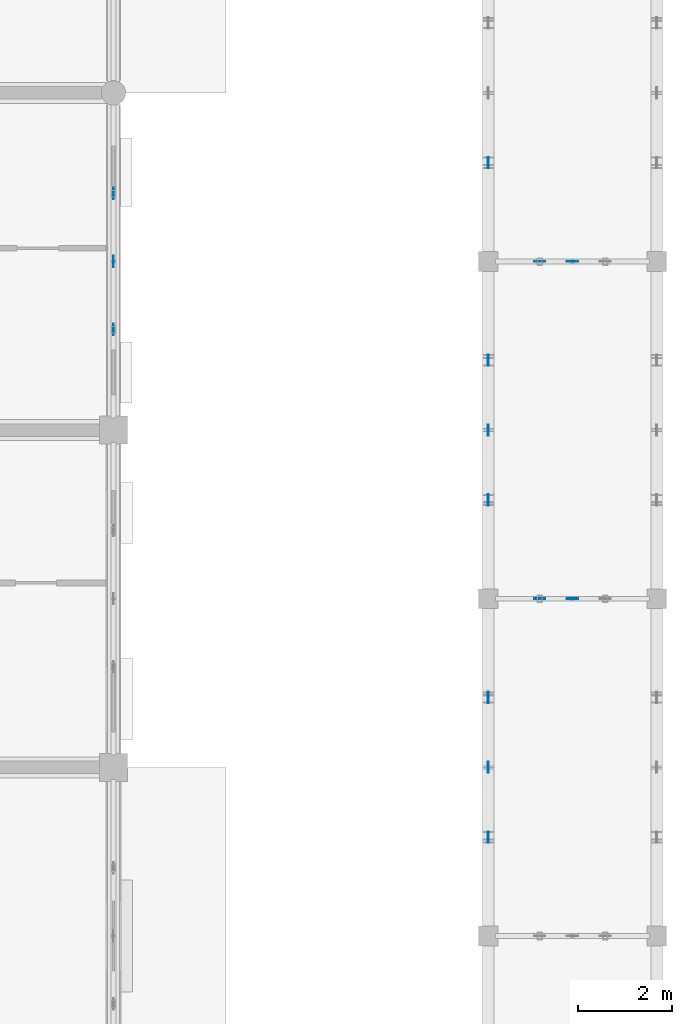
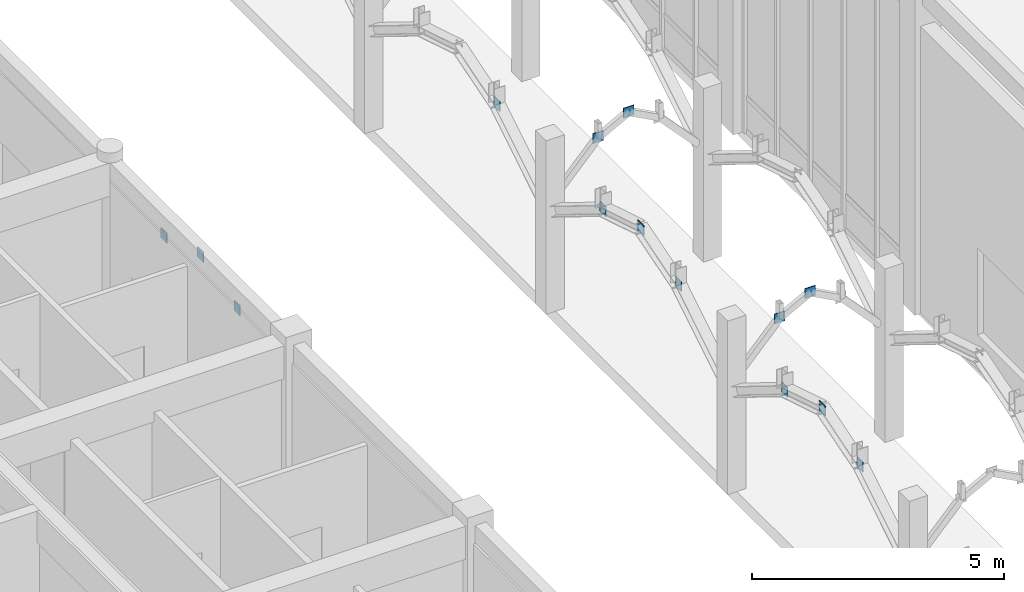
# One storey, part 77 of 138: 14 plates.
"""IFC4 building model written with IfcOpenShell, lengths in metres."""

import ifcopenshell
import ifcopenshell.guid

model = None  # the IFC model being written
_history = None  # IfcOwnerHistory: only IFC2X3 demands one
_inside = {}  # id of a spatial element -> (the spatial element, [elements in it])
_under = {}  # id of a project, library or spatial element -> (it, [spatial elements below it])
_declared = {}  # id of a project -> (the project, [libraries it declares])
_typed = {}  # id of a type object -> (the type object, [elements of that type])
_made_of = {}  # id of a material, layer set ... -> (it, [elements and type objects made of it])


def new_model(schema):
    """Start an empty IFC model of exactly this schema.

    Asked for "IFC4X3", IfcOpenShell would pick the latest addendum, in which some entities
    have other attributes; the version numbers below select the first issue.
    IFC2X3 requires an IfcOwnerHistory on every rooted entity: one is made here for all.
    """
    global model, _history
    if schema == "IFC4X3":
        model = ifcopenshell.file(schema_version=(4, 3, 0, 0))
    else:
        model = ifcopenshell.file(schema=schema)
    _inside.clear()
    _under.clear()
    _declared.clear()
    _typed.clear()
    _made_of.clear()
    _history = None
    if model.schema == "IFC2X3":
        org = make("IfcOrganization", Name="unknown")
        user = make(
            "IfcPersonAndOrganization",
            ThePerson=make("IfcPerson", FamilyName="unknown"),
            TheOrganization=org,
        )
        app = make(
            "IfcApplication",
            ApplicationDeveloper=org,
            Version="unknown",
            ApplicationFullName="unknown",
            ApplicationIdentifier="unknown",
        )
        _history = make(
            "IfcOwnerHistory",
            OwningUser=user,
            OwningApplication=app,
            ChangeAction="ADDED",
            CreationDate=0,
        )
    return model


def make(cls, **values):
    """One entity of the class cls with the attributes given. An attribute that is None is left unset."""
    return model.create_entity(
        cls, **{name: value for name, value in values.items() if value is not None}
    )


def rooted(cls, **values):
    """An entity with a GlobalId (a new one), such as an element, a storey or a relation."""
    return make(cls, GlobalId=ifcopenshell.guid.new(), OwnerHistory=_history, **values)


def si_unit(unit_type, name, prefix=None):
    """IfcSIUnit, for example si_unit("LENGTHUNIT", "METRE", prefix="MILLI")."""
    return make("IfcSIUnit", UnitType=unit_type, Prefix=prefix, Name=name)


def assignment(units):
    """IfcUnitAssignment: the units of a project."""
    return None if units is None else make("IfcUnitAssignment", Units=units)


def point(xyz):
    """IfcCartesianPoint."""
    return None if xyz is None else make("IfcCartesianPoint", Coordinates=xyz)


def direction(xyz):
    """IfcDirection."""
    return None if xyz is None else make("IfcDirection", DirectionRatios=xyz)


def frame(location, z_axis=None, x_axis=None):
    """IfcAxis2Placement3D, a coordinate frame: its origin and axes. An axis left out is left unset."""
    return make(
        "IfcAxis2Placement3D",
        Location=point(location),
        Axis=direction(z_axis),
        RefDirection=direction(x_axis),
    )


def frame_2d(location, x_axis=None):
    """IfcAxis2Placement2D, a coordinate frame in the plane: its origin and x axis."""
    return make(
        "IfcAxis2Placement2D", Location=point(location), RefDirection=direction(x_axis)
    )


def origin():
    """The frame at (0, 0, 0) with its axes left unset."""
    return frame((0.0, 0.0, 0.0))


def origin_2d():
    """The frame at (0, 0) in the plane with its x axis left unset."""
    return frame_2d((0.0, 0.0))


def place(relative_to, where):
    """IfcLocalPlacement: puts the frame where relative to a parent placement (None: the world)."""
    return make(
        "IfcLocalPlacement", PlacementRelTo=relative_to, RelativePlacement=where
    )


def context(
    kind, dimensions, precision=None, world=None, true_north=None, identifier=None
):
    """IfcGeometricRepresentationContext, for example the 3D "Model" context."""
    return make(
        "IfcGeometricRepresentationContext",
        ContextIdentifier=identifier,
        ContextType=kind,
        CoordinateSpaceDimension=dimensions,
        Precision=precision,
        WorldCoordinateSystem=world,
        TrueNorth=true_north,
    )


def subcontext(parent, identifier, kind, view, scale=None):
    """IfcGeometricRepresentationSubContext, for example "Body" below "Model"."""
    return make(
        "IfcGeometricRepresentationSubContext",
        ContextIdentifier=identifier,
        ContextType=kind,
        ParentContext=parent,
        TargetScale=scale,
        TargetView=view,
    )


def project(units=None, contexts=None):
    """IfcProject with its units and contexts."""
    return rooted(
        "IfcProject",
        Name="project",
        RepresentationContexts=contexts,
        UnitsInContext=assignment(units),
    )


def spatial(cls, under=None, at=None, **own):
    """A site, building, storey or space (cls), placed at a placement, below another one or the project."""
    s = rooted(cls, ObjectPlacement=at, **own)
    if under is not None:
        _under.setdefault(under.id(), (under, []))[1].append(s)
    return s


def profile(cls, at=None, kind="AREA", **sizes):
    """A parametric profile (cls). Its sizes go by their IFC names, for example OverallWidth=200.0."""
    return make(cls, ProfileType=kind, Position=at, **sizes)


def rectangle(**sizes):
    """IfcRectangleProfileDef."""
    return profile("IfcRectangleProfileDef", **sizes)


def extrude(swept, where, along, depth):
    """IfcExtrudedAreaSolid: the profile swept, set in the frame where, extruded along a direction by depth."""
    return make(
        "IfcExtrudedAreaSolid",
        SweptArea=swept,
        Position=where,
        ExtrudedDirection=direction(along),
        Depth=depth,
    )


def shape(context_of_items, identifier, shape_type, items):
    """IfcShapeRepresentation: the items that make up one representation, for example the "Body"."""
    return make(
        "IfcShapeRepresentation",
        ContextOfItems=context_of_items,
        RepresentationIdentifier=identifier,
        RepresentationType=shape_type,
        Items=items,
    )


def material(Name=None, Category=None):
    """IfcMaterial."""
    return make("IfcMaterial", Name=Name, Category=Category)


def layer(
    of_material, thickness, ventilated=None, Name=None, Category=None, Priority=None
):
    """IfcMaterialLayer: one layer of a wall or slab, of a material (None: an air gap)."""
    return make(
        "IfcMaterialLayer",
        Material=of_material,
        LayerThickness=thickness,
        IsVentilated=ventilated,
        Name=Name,
        Category=Category,
        Priority=Priority,
    )


def layer_set(layers, Name=None):
    """IfcMaterialLayerSet."""
    return make("IfcMaterialLayerSet", MaterialLayers=layers, LayerSetName=Name)


def made_of(thing, what):
    """Note that an element or type object is made of a material, layer set ...; save() writes the relation."""
    if what is not None:
        _made_of.setdefault(what.id(), (what, []))[1].append(thing)
    return thing


def type_object(cls, material=None, **own):
    """A type object (cls), such as IfcWallType, which elements share."""
    return made_of(rooted(cls, **own), material)


def element(
    cls,
    number,
    at=None,
    inside=None,
    cuts=None,
    type_object=None,
    material=None,
    context=None,
    identifier="Body",
    shape_type=None,
    held_by="IfcProductDefinitionShape",
    body=None,
    shapes=None,
    **own,
):
    """One element of the class cls, such as IfcWall. Its Tag is "e" and its number.

    at: its placement. inside: the storey or other place that contains it. cuts: it is an
    opening in that element (IfcRelVoidsElement). A single representation is given by context,
    identifier, shape_type and body (its items); several are given by shapes. held_by: the class
    of the entity that holds the representations. save() writes the other relations.
    """
    e = rooted(cls, Tag="e%d" % number, ObjectPlacement=at, **own)
    if body is not None:
        shapes = [shape(context, identifier, shape_type, body)]
    if shapes is not None:
        e.Representation = make(held_by, Representations=shapes)
    if inside is not None:
        _inside.setdefault(inside.id(), (inside, []))[1].append(e)
    if cuts is not None:
        rooted(
            "IfcRelVoidsElement", RelatingBuildingElement=cuts, RelatedOpeningElement=e
        )
    if type_object is not None:
        _typed.setdefault(type_object.id(), (type_object, []))[1].append(e)
    return made_of(e, material)


def aggregate(whole, parts):
    """IfcRelAggregates: a whole, such as a stair, and the parts it consists of."""
    return rooted("IfcRelAggregates", RelatingObject=whole, RelatedObjects=parts)


def save(model, path):
    """Write the relations noted so far, then the file.

    IfcRelAggregates (storeys below a building ...), IfcRelContainedInSpatialStructure (elements
    in a storey), IfcRelDefinesByType, IfcRelAssociatesMaterial and IfcRelDeclares: one each for
    every whole, place, type object, material and project.
    """
    for whole, parts in _under.values():
        aggregate(whole, parts)
    for where, things in _inside.values():
        rooted(
            "IfcRelContainedInSpatialStructure",
            RelatedElements=things,
            RelatingStructure=where,
        )
    for kind, things in _typed.values():
        rooted("IfcRelDefinesByType", RelatedObjects=things, RelatingType=kind)
    for what, things in _made_of.values():
        rooted("IfcRelAssociatesMaterial", RelatedObjects=things, RelatingMaterial=what)
    for by, libraries in _declared.values():
        rooted("IfcRelDeclares", RelatingContext=by, RelatedDefinitions=libraries)
    model.write(path)


model = new_model("IFC4")

# Units and contexts
model_context = context("Model", 3, precision=1e-05, world=origin(), true_north=direction((0.0, 1.0)))
body_context = subcontext(model_context, "Body", "Model", "MODEL_VIEW")
ifc_project = project(units=[si_unit("LENGTHUNIT", "METRE"), si_unit("AREAUNIT", "SQUARE_METRE"), si_unit("VOLUMEUNIT", "CUBIC_METRE"), si_unit("PLANEANGLEUNIT", "RADIAN"), si_unit("MASSUNIT", "GRAM", prefix="KILO"), si_unit("THERMODYNAMICTEMPERATUREUNIT", "KELVIN"), si_unit("POWERUNIT", "WATT")], contexts=[model_context])

# Site, building, storey
site_placement = place(None, origin())
site = spatial("IfcSite", under=ifc_project, at=site_placement, CompositionType="ELEMENT")
building_placement = place(site_placement, origin())
building = spatial("IfcBuilding", under=site, at=building_placement, Name="Tavuni Mirador Residences", CompositionType="ELEMENT")
storey_placement = place(building_placement, origin())
storey = spatial("IfcBuildingStorey", under=building, at=storey_placement, Name="L00", CompositionType="ELEMENT", Elevation=0.0)

# Plates
ifc_material = material(Name="Structural steel S355", Category="steel")
ifc_layer = layer(ifc_material, 0.01806640625, Name="Structural steel S355", Category="steel")
ifc_layer_set = layer_set([ifc_layer], Name="Structural steel S355")
plate_type = type_object("IfcPlateType", Name="PLT-GP05", PredefinedType="USERDEFINED", material=ifc_layer_set)
for number, where, z_axis, x_axis, name in (
    (1, (34.30029296875, 75.60009765625, 3.58740234375), (0.0, 0.0, 1.0), (1.0, 0.0, 0.0), "ARCH-COLO-T-03-GQ1"),
    (2, (35.0, 75.60009765625, 3.9599609375), (0.0, 0.0, 1.0), (1.0, 0.0, 0.0), "ARCH-COLO-T-03-GCR"),
    (3, (34.30029296875, 82.800048828125, 3.58740234375), (0.0, 0.0, 1.0), (1.0, 0.0, 0.0), "ARCH-COLO-T-04-GQ1"),
    (4, (35.0, 82.800048828125, 3.9599609375), (0.0, 0.0, 1.0), (1.0, 0.0, 0.0), "ARCH-COLO-T-04-GCR"),
):
    element("IfcPlate", number, at=place(storey_placement, frame(where, z_axis=z_axis, x_axis=x_axis)), inside=storey, type_object=plate_type, Name=name, ObjectType="GUSSET PLATE", PredefinedType="USERDEFINED", context=body_context, shape_type="SweptSolid", body=[
        extrude(rectangle(XDim=0.239990234375, YDim=0.02001953125, at=origin_2d()), origin(), (0.0, 0.0, 1.0), 0.239990234375),
    ])
for number, where, z_axis, x_axis, name in (
    (5, (33.199951171875, 70.50830078125, 3.50341796875), (0.0, 0.0, 1.0), (1.0, 0.0, 0.0), "ARCH-COLO-W-02-GQ1"),
    (6, (33.199951171875, 72.0, 3.9599609375), (0.0, 0.0, 1.0), (1.0, 0.0, 0.0), "ARCH-COLO-W-02-GCR"),
    (7, (33.199951171875, 73.49169921875, 3.50341796875), (0.0, 0.0, 1.0), (1.0, 0.0, 0.0), "ARCH-COLO-W-02-GQ2"),
    (8, (33.199951171875, 77.70849609375, 3.50341796875), (0.0, 0.0, 1.0), (1.0, 0.0, 0.0), "ARCH-COLO-W-03-GQ1"),
    (9, (33.199951171875, 79.199951171875, 3.9599609375), (0.0, 0.0, 1.0), (1.0, 0.0, 0.0), "ARCH-COLO-W-03-GCR"),
    (10, (33.199951171875, 80.691650390625, 3.50341796875), (0.0, 0.0, 1.0), (1.0, 0.0, 0.0), "ARCH-COLO-W-03-GQ2"),
    (11, (33.199951171875, 84.908447265625, 3.50341796875), (0.0, 0.0, 1.0), (1.0, 0.0, 0.0), "ARCH-COLO-W-04-GQ1"),
    (12, (25.199951171875, 81.347900390625, 3.509765625), (0.0, 0.0, 1.0), (1.0, 0.0, 0.0), "ARCH-BLKB-E-02-GQ1"),
    (13, (25.199951171875, 82.800048828125, 3.93017578125), (0.0, 0.0, 1.0), (1.0, 0.0, 0.0), "ARCH-BLKB-E-02-GCR"),
    (14, (25.199951171875, 84.251953125, 3.509765625), (0.0, 0.0, 1.0), (1.0, 0.0, 0.0), "ARCH-BLKB-E-02-GQ2"),
):
    element("IfcPlate", number, at=place(storey_placement, frame(where, z_axis=z_axis, x_axis=x_axis)), inside=storey, type_object=plate_type, Name=name, ObjectType="GUSSET PLATE", PredefinedType="USERDEFINED", context=body_context, shape_type="SweptSolid", body=[
        extrude(rectangle(XDim=0.02001953125, YDim=0.239990234375, at=origin_2d()), origin(), (0.0, 0.0, 1.0), 0.239990234375),
    ])

save(model, "model.ifc")
